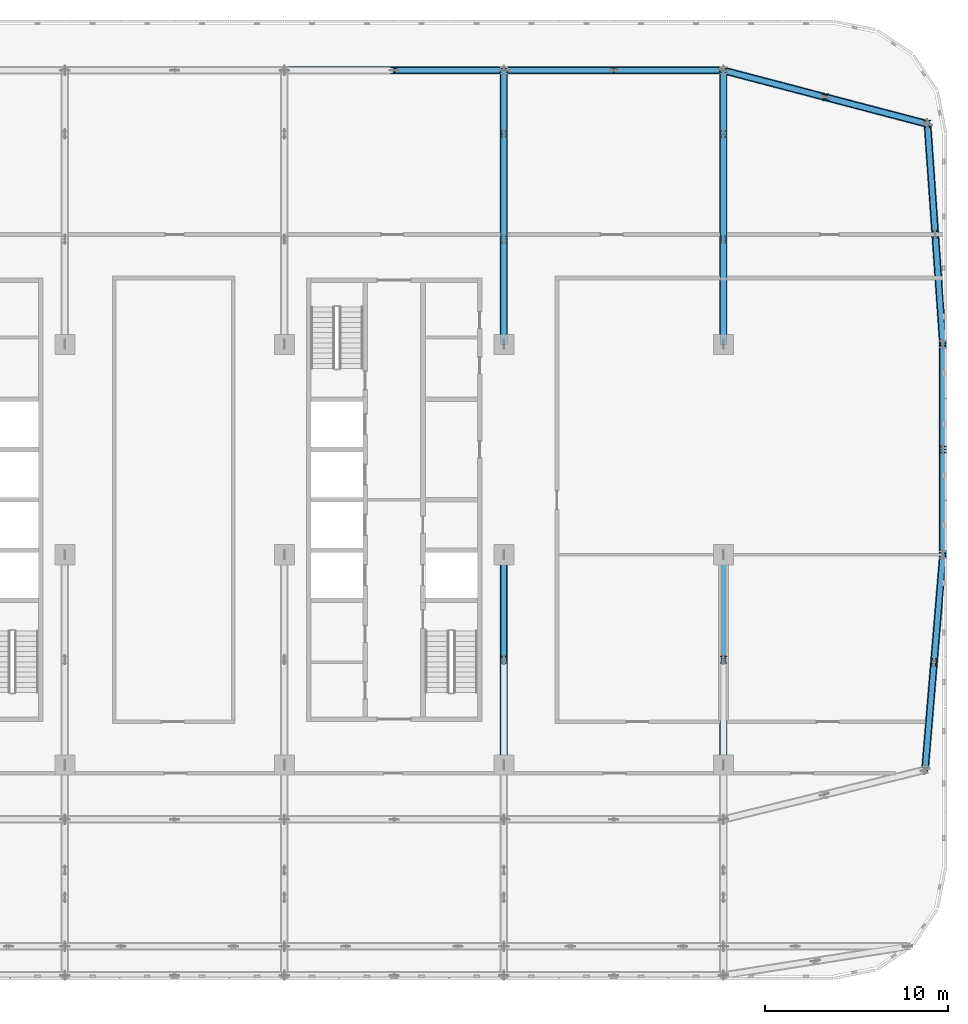
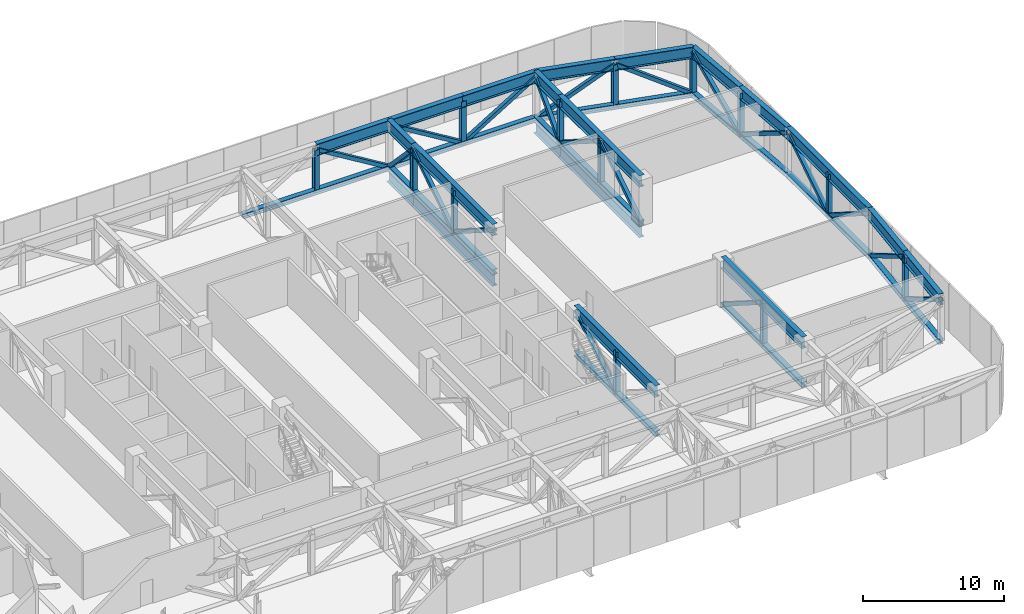
# One storey, part 11 of 28: 61 members, 4 beams.
"""IFC4 building model written with IfcOpenShell, lengths in metres."""

from ifc_helpers import new_model, si_unit, direction, frame, origin, origin_2d, place, context, subcontext, project, spatial, hollow_rectangle, i_section, extrude, material, material_profile, profile_set, type_object, element, save


model = new_model("IFC4")

# Units and contexts
model_context = context("Model", 3, precision=1e-05, world=origin(), true_north=direction((0.0, 1.0)))
body_context = subcontext(model_context, "Body", "Model", "MODEL_VIEW")
ifc_project = project(units=[si_unit("LENGTHUNIT", "METRE"), si_unit("AREAUNIT", "SQUARE_METRE"), si_unit("VOLUMEUNIT", "CUBIC_METRE"), si_unit("PLANEANGLEUNIT", "RADIAN"), si_unit("MASSUNIT", "GRAM", prefix="KILO")], contexts=[model_context])

# Site, building, storey
site_placement = place(None, origin())
site = spatial("IfcSite", under=ifc_project, at=site_placement, CompositionType="ELEMENT")
building_placement = place(site_placement, origin())
building = spatial("IfcBuilding", under=site, at=building_placement, Name="Mahtab Terrace Research Tower", CompositionType="ELEMENT")
storey_placement = place(building_placement, frame((0.0, 0.0, 224.300048828125)))
storey = spatial("IfcBuildingStorey", under=building, at=storey_placement, Name="L54", CompositionType="ELEMENT", Elevation=224.300048828125)

# Members
ifc_material_1 = material(Name="Steel ASTM A500 Gr C", Category="steel")
ifc_material_profile_1 = material_profile(ifc_material_1, hollow_rectangle(XDim=0.3046875, YDim=0.3046875, WallThickness=0.0126953125, at=origin_2d()), Name="HSS12X12X1/2")
ifc_profile_set_1 = profile_set([ifc_material_profile_1], Name="Steel ASTM A500 Gr C")
member_type_1 = type_object("IfcMemberType", Name="HSS 12x12x1/2 brace TD121212", PredefinedType="BRACE", material=ifc_profile_set_1)
for number, where, z_axis, x_axis, name in (
    (1, (30.0, -5.75, -0.18798828125), (0.0, 0.844434215401, 0.535659272168), (-1.0, 0.0, 0.0), "Transfer truss T6 diagonal 117"),
    (2, (30.0, 17.25, -0.18798828125), (0.0, -0.844434215401, 0.535659272168), (1.0, 0.0, 0.0), "Transfer truss T6 diagonal 118"),
    (3, (30.0, 17.25, -0.18798828125), (0.0, 0.844434215401, 0.535659272168), (-1.0, 0.0, 0.0), "Transfer truss T6 diagonal 119"),
):
    element("IfcMember", number, at=place(storey_placement, frame(where, z_axis=z_axis, x_axis=x_axis)), inside=storey, type_object=member_type_1, Name=name, PredefinedType="BRACE", context=body_context, shape_type="SweptSolid", body=[
        extrude(hollow_rectangle(XDim=0.3046875, YDim=0.3046875, WallThickness=0.0126953125, at=origin_2d()), origin(), (0.0, 0.0, 1.0), 6.809326171875),
    ])
member_1_placement = place(storey_placement, frame((30.0, 26.472900390625, -0.18798828125), z_axis=(0.0, -0.689564383455, 0.724224385857), x_axis=(1.0, 0.0, 0.0)))
element("IfcMember", 4, at=member_1_placement, inside=storey, type_object=member_type_1, Name="Transfer truss T6 diagonal 120", PredefinedType="BRACE", context=body_context, shape_type="SweptSolid", body=[
    extrude(hollow_rectangle(XDim=0.3046875, YDim=0.3046875, WallThickness=0.0126953125, at=origin_2d()), origin(), (0.0, 0.0, 1.0), 5.036376953125),
])
for number, where, z_axis, x_axis, name in (
    (5, (30.0, 26.472900390625, -0.18798828125), (-0.854496522168, 0.0, 0.519457114306), (0.0, -1.0, 0.0), "Transfer truss T6 diagonal 121"),
    (6, (36.0, 26.472900390625, -0.18798828125), (-0.854496522168, 0.0, 0.519457114306), (0.0, -1.0, 0.0), "Transfer truss T6 diagonal 125"),
):
    element("IfcMember", number, at=place(storey_placement, frame(where, z_axis=z_axis, x_axis=x_axis)), inside=storey, type_object=member_type_1, Name=name, PredefinedType="BRACE", context=body_context, shape_type="SweptSolid", body=[
        extrude(hollow_rectangle(XDim=0.3046875, YDim=0.3046875, WallThickness=0.0126953125, at=origin_2d()), origin(), (0.0, 0.0, 1.0), 7.021728515625),
    ])
for number, where, z_axis, x_axis, name in (
    (7, (42.0, 0.0, -0.18798828125), (0.0, -0.844434215401, 0.535659272168), (1.0, 0.0, 0.0), "Transfer truss T6 diagonal 136"),
    (8, (42.0, 11.5, -0.18798828125), (0.0, 0.844434215401, 0.535659272168), (-1.0, 0.0, 0.0), "Transfer truss T6 diagonal 137"),
    (9, (42.0, 23.0, -0.18798828125), (0.0, -0.844434215401, 0.535659272168), (1.0, 0.0, 0.0), "Transfer truss T6 diagonal 138"),
):
    element("IfcMember", number, at=place(storey_placement, frame(where, z_axis=z_axis, x_axis=x_axis)), inside=storey, type_object=member_type_1, Name=name, PredefinedType="BRACE", context=body_context, shape_type="SweptSolid", body=[
        extrude(hollow_rectangle(XDim=0.3046875, YDim=0.3046875, WallThickness=0.0126953125, at=origin_2d()), origin(), (0.0, 0.0, 1.0), 6.809326171875),
    ])
member_2_placement = place(storey_placement, frame((42.0, 23.0, -0.18798828125), z_axis=(0.0, 0.689564383455, 0.724224385857), x_axis=(-1.0, 0.0, 0.0)))
element("IfcMember", 10, at=member_2_placement, inside=storey, type_object=member_type_1, Name="Transfer truss T6 diagonal 139", PredefinedType="BRACE", context=body_context, shape_type="SweptSolid", body=[
    extrude(hollow_rectangle(XDim=0.3046875, YDim=0.3046875, WallThickness=0.0126953125, at=origin_2d()), origin(), (0.0, 0.0, 1.0), 5.036376953125),
])
member_3_placement = place(storey_placement, frame((36.0, 26.472900390625, -0.18798828125), z_axis=(0.854496522168, 0.0, 0.519457114306), x_axis=(0.0, 1.0, 0.0)))
element("IfcMember", 11, at=member_3_placement, inside=storey, type_object=member_type_1, Name="Transfer truss T6 diagonal 140", PredefinedType="BRACE", context=body_context, shape_type="SweptSolid", body=[
    extrude(hollow_rectangle(XDim=0.3046875, YDim=0.3046875, WallThickness=0.0126953125, at=origin_2d()), origin(), (0.0, 0.0, 1.0), 7.021728515625),
])
member_4_placement = place(storey_placement, frame((42.0, 26.472900390625, -0.18798828125), z_axis=(0.817408645906, -0.214559481717, 0.534609515818), x_axis=(0.25388673963, 0.967233954863, 0.0)))
element("IfcMember", 12, at=member_4_placement, inside=storey, type_object=member_type_1, Name="Transfer truss T6 diagonal 144", PredefinedType="BRACE", context=body_context, shape_type="SweptSolid", body=[
    extrude(hollow_rectangle(XDim=0.3046875, YDim=0.3046875, WallThickness=0.0126953125, at=origin_2d()), origin(), (0.0, 0.0, 1.0), 6.82275390625),
])
member_5_placement = place(storey_placement, frame((53.510986328125, -5.87890625, -0.18798828125), z_axis=(-0.070644222099, -0.847625068445, 0.525871787823), x_axis=(0.996544901991, -0.083055754258, 0.0)))
element("IfcMember", 13, at=member_5_placement, inside=storey, type_object=member_type_1, Name="Transfer truss T6 diagonal 146", PredefinedType="BRACE", context=body_context, shape_type="SweptSolid", body=[
    extrude(hollow_rectangle(XDim=0.3046875, YDim=0.3046875, WallThickness=0.0126953125, at=origin_2d()), origin(), (0.0, 0.0, 1.0), 6.93603515625),
])
member_6_placement = place(storey_placement, frame((53.154052734375, 23.5458984375, -0.18798828125), z_axis=(-0.817439342665, 0.214450795859, 0.534606188908), x_axis=(-0.253757500466, -0.967267869288, 0.0)))
element("IfcMember", 14, at=member_6_placement, inside=storey, type_object=member_type_1, Name="Transfer truss T6 diagonal 147", PredefinedType="BRACE", context=body_context, shape_type="SweptSolid", body=[
    extrude(hollow_rectangle(XDim=0.3046875, YDim=0.3046875, WallThickness=0.0126953125, at=origin_2d()), origin(), (0.0, 0.0, 1.0), 6.82275390625),
])
member_7_placement = place(storey_placement, frame((54.0, 0.0, -0.18798828125), z_axis=(-0.070506230624, -0.847623581335, 0.525892703702), x_axis=(0.996558305152, -0.082894779287, 0.0)))
element("IfcMember", 15, at=member_7_placement, inside=storey, type_object=member_type_1, Name="Transfer truss T6 diagonal 148", PredefinedType="BRACE", context=body_context, shape_type="SweptSolid", body=[
    extrude(hollow_rectangle(XDim=0.3046875, YDim=0.3046875, WallThickness=0.0126953125, at=origin_2d()), origin(), (0.0, 0.0, 1.0), 6.935791015625),
])
member_8_placement = place(storey_placement, frame((53.576904296875, 17.52294921875, -0.18798828125), z_axis=(-0.059945068637, 0.8538365146, 0.517078132473), x_axis=(-0.997544580937, -0.07003434188, 0.0)))
element("IfcMember", 16, at=member_8_placement, inside=storey, type_object=member_type_1, Name="Transfer truss T6 diagonal 149", PredefinedType="BRACE", context=body_context, shape_type="SweptSolid", body=[
    extrude(hollow_rectangle(XDim=0.3046875, YDim=0.3046875, WallThickness=0.0126953125, at=origin_2d()), origin(), (0.0, 0.0, 1.0), 7.053955078125),
])
for number, where, z_axis, x_axis, name in (
    (17, (54.0, 5.75, -0.18798828125), (0.0, -0.844434215401, 0.535659272168), (1.0, 0.0, 0.0), "Transfer truss T6 diagonal 150"),
    (18, (54.0, 5.75, -0.18798828125), (0.0, 0.844434215401, 0.535659272168), (-1.0, 0.0, 0.0), "Transfer truss T6 diagonal 151"),
):
    element("IfcMember", number, at=place(storey_placement, frame(where, z_axis=z_axis, x_axis=x_axis)), inside=storey, type_object=member_type_1, Name=name, PredefinedType="BRACE", context=body_context, shape_type="SweptSolid", body=[
        extrude(hollow_rectangle(XDim=0.3046875, YDim=0.3046875, WallThickness=0.0126953125, at=origin_2d()), origin(), (0.0, 0.0, 1.0), 6.809326171875),
    ])
member_9_placement = place(storey_placement, frame((53.576904296875, 17.52294921875, -0.18798828125), z_axis=(0.059979554478, -0.853834742624, 0.517077059376), x_axis=(0.997541755211, 0.070074578913, 0.0)))
element("IfcMember", 19, at=member_9_placement, inside=storey, type_object=member_type_1, Name="Transfer truss T6 diagonal 152", PredefinedType="BRACE", context=body_context, shape_type="SweptSolid", body=[
    extrude(hollow_rectangle(XDim=0.3046875, YDim=0.3046875, WallThickness=0.0126953125, at=origin_2d()), origin(), (0.0, 0.0, 1.0), 7.053955078125),
])
ifc_material_2 = material(Name="Steel ASTM A992 Gr 50", Category="steel")
ifc_material_profile_2 = material_profile(ifc_material_2, i_section(OverallWidth=0.373291015625, OverallDepth=0.373291015625, WebThickness=0.016357421875, FlangeThickness=0.026123046875, at=origin_2d()), Name="W14X132")
ifc_profile_set_2 = profile_set([ifc_material_profile_2], Name="Steel ASTM A992 Gr 50")
member_type_2 = type_object("IfcMemberType", Name="W14x132 post TP14132", PredefinedType="POST", material=ifc_profile_set_2)
for number, where, z_axis, x_axis, name in (
    (20, (24.0, 26.469970703125, -0.18798828125), (0.0, 0.0, 1.0), (1.0, 0.0, 0.0), "Transfer truss T6 post 096"),
    (21, (30.0, -5.75, -0.18798828125), (0.0, 0.0, 1.0), (1.0, 0.0, 0.0), "Transfer truss T6 post 104"),
    (22, (30.0, 17.25, -0.18798828125), (0.0, 0.0, 1.0), (1.0, 0.0, 0.0), "Transfer truss T6 post 107"),
    (23, (30.0, 23.0, -0.18798828125), (0.0, 0.0, 1.0), (1.0, 0.0, 0.0), "Transfer truss T6 post 108"),
    (24, (36.0, 26.469970703125, -0.18798828125), (0.0, 0.0, 1.0), (1.0, 0.0, 0.0), "Transfer truss T6 post 113"),
    (25, (42.0, -5.75, -0.18798828125), (0.0, 0.0, 1.0), (1.0, 0.0, 0.0), "Transfer truss T6 post 121"),
    (26, (42.0, 17.25, -0.18798828125), (0.0, 0.0, 1.0), (1.0, 0.0, 0.0), "Transfer truss T6 post 124"),
    (27, (42.0, 23.0, -0.18798828125), (0.0, 0.0, 1.0), (1.0, 0.0, 0.0), "Transfer truss T6 post 125"),
    (28, (47.580078125, 25.010009765625, -0.18798828125), (0.0, 0.0, 1.0), (1.0, 0.0, 0.0), "Transfer truss T6 post 130"),
    (29, (53.14990234375, 23.550048828125, -0.18798828125), (0.0, 0.0, 1.0), (1.0, 0.0, 0.0), "Transfer truss T6 post 133"),
    (30, (53.510009765625, -5.8798828125, -0.18798828125), (0.0, 0.0, 1.0), (1.0, 0.0, 0.0), "Transfer truss T6 post 134"),
    (31, (53.580078125, 17.52001953125, -0.18798828125), (0.0, 0.0, 1.0), (1.0, 0.0, 0.0), "Transfer truss T6 post 135"),
    (32, (54.0, 5.75, -0.18798828125), (0.0, 0.0, 1.0), (1.0, 0.0, 0.0), "Transfer truss T6 post 137"),
):
    element("IfcMember", number, at=place(storey_placement, frame(where, z_axis=z_axis, x_axis=x_axis)), inside=storey, type_object=member_type_2, Name=name, PredefinedType="POST", context=body_context, shape_type="SweptSolid", body=[
        extrude(i_section(OverallWidth=0.373291015625, OverallDepth=0.373291015625, WebThickness=0.016357421875, FlangeThickness=0.026123046875, at=origin_2d()), origin(), (0.0, 0.0, 1.0), 3.6474609375),
    ])
ifc_material_profile_3 = material_profile(ifc_material_2, i_section(OverallWidth=0.408935546875, OverallDepth=0.42431640625, WebThickness=0.03271484375, FlangeThickness=0.052490234375, at=origin_2d()), Name="W14X283")
ifc_profile_set_3 = profile_set([ifc_material_profile_3], Name="Steel ASTM A992 Gr 50")
member_type_3 = type_object("IfcMemberType", Name="W14x283 chord TC14283", PredefinedType="CHORD", material=ifc_profile_set_3)
for number, where, z_axis, x_axis, name in (
    (33, (42.0, 26.472900390625, -0.18798828125), (-1.0, 0.0, 0.0), (0.0, -1.0, 0.0), "Transfer truss T6 bottom chord 033"),
    (34, (30.0, 26.472900390625, -0.18798828125), (-1.0, 0.0, 0.0), (0.0, -1.0, 0.0), "Transfer truss T6 bottom chord 034"),
):
    element("IfcMember", number, at=place(storey_placement, frame(where, z_axis=z_axis, x_axis=x_axis)), inside=storey, type_object=member_type_3, Name=name, PredefinedType="CHORD", context=body_context, shape_type="SweptSolid", body=[
        extrude(i_section(OverallWidth=0.408935546875, OverallDepth=0.42431640625, WebThickness=0.03271484375, FlangeThickness=0.052490234375, at=origin_2d()), origin(), (0.0, 0.0, 1.0), 12.0),
    ])
for number, where, z_axis, x_axis, name in (
    (35, (30.0, -11.5, -0.18798828125), (0.0, 1.0, 0.0), (-1.0, 0.0, 0.0), "Transfer truss T6 bottom chord 061"),
    (36, (30.0, 11.5, -0.18798828125), (0.0, 1.0, 0.0), (-1.0, 0.0, 0.0), "Transfer truss T6 bottom chord 062"),
):
    element("IfcMember", number, at=place(storey_placement, frame(where, z_axis=z_axis, x_axis=x_axis)), inside=storey, type_object=member_type_3, Name=name, PredefinedType="CHORD", context=body_context, shape_type="SweptSolid", body=[
        extrude(i_section(OverallWidth=0.408935546875, OverallDepth=0.42431640625, WebThickness=0.03271484375, FlangeThickness=0.052490234375, at=origin_2d()), origin(), (0.0, 0.0, 1.0), 11.5),
    ])
member_10_placement = place(storey_placement, frame((30.0, 23.0, -0.18798828125), z_axis=(0.0, 1.0, 0.0), x_axis=(-1.0, 0.0, 0.0)))
element("IfcMember", 37, at=member_10_placement, inside=storey, type_object=member_type_3, Name="Transfer truss T6 bottom chord 063", PredefinedType="CHORD", context=body_context, shape_type="SweptSolid", body=[
    extrude(i_section(OverallWidth=0.408935546875, OverallDepth=0.42431640625, WebThickness=0.03271484375, FlangeThickness=0.052490234375, at=origin_2d()), origin(), (0.0, 0.0, 1.0), 3.472900390625),
])
for number, where, z_axis, x_axis, name in (
    (38, (42.0, -11.5, -0.18798828125), (0.0, 1.0, 0.0), (-1.0, 0.0, 0.0), "Transfer truss T6 bottom chord 066"),
    (39, (42.0, 11.5, -0.18798828125), (0.0, 1.0, 0.0), (-1.0, 0.0, 0.0), "Transfer truss T6 bottom chord 069"),
):
    element("IfcMember", number, at=place(storey_placement, frame(where, z_axis=z_axis, x_axis=x_axis)), inside=storey, type_object=member_type_3, Name=name, PredefinedType="CHORD", context=body_context, shape_type="SweptSolid", body=[
        extrude(i_section(OverallWidth=0.408935546875, OverallDepth=0.42431640625, WebThickness=0.03271484375, FlangeThickness=0.052490234375, at=origin_2d()), origin(), (0.0, 0.0, 1.0), 11.5),
    ])
member_11_placement = place(storey_placement, frame((42.0, 23.0, -0.18798828125), z_axis=(0.0, 1.0, 0.0), x_axis=(-1.0, 0.0, 0.0)))
element("IfcMember", 40, at=member_11_placement, inside=storey, type_object=member_type_3, Name="Transfer truss T6 bottom chord 070", PredefinedType="CHORD", context=body_context, shape_type="SweptSolid", body=[
    extrude(i_section(OverallWidth=0.408935546875, OverallDepth=0.42431640625, WebThickness=0.03271484375, FlangeThickness=0.052490234375, at=origin_2d()), origin(), (0.0, 0.0, 1.0), 3.472900390625),
])
member_12_placement = place(storey_placement, frame((53.154052734375, 23.5458984375, -0.18798828125), z_axis=(-0.967250914308, 0.253822120333, 0.0), x_axis=(-0.253822120333, -0.967250914308, 0.0)))
element("IfcMember", 41, at=member_12_placement, inside=storey, type_object=member_type_3, Name="Transfer truss T6 bottom chord 071", PredefinedType="CHORD", context=body_context, shape_type="SweptSolid", body=[
    extrude(i_section(OverallWidth=0.408935546875, OverallDepth=0.42431640625, WebThickness=0.03271484375, FlangeThickness=0.052490234375, at=origin_2d()), origin(), (0.0, 0.0, 1.0), 11.53173828125),
])
member_13_placement = place(storey_placement, frame((53.02099609375, -11.758056640625, -0.18798828125), z_axis=(0.082975269256, 0.996551606638, 0.0), x_axis=(-0.996551606638, 0.082975269256, 0.0)))
element("IfcMember", 42, at=member_13_placement, inside=storey, type_object=member_type_3, Name="Transfer truss T6 bottom chord 072", PredefinedType="CHORD", context=body_context, shape_type="SweptSolid", body=[
    extrude(i_section(OverallWidth=0.408935546875, OverallDepth=0.42431640625, WebThickness=0.03271484375, FlangeThickness=0.052490234375, at=origin_2d()), origin(), (0.0, 0.0, 1.0), 11.798828125),
])
for number, where, z_axis, x_axis, name in (
    (43, (54.0, 11.5, -0.18798828125), (-0.070074578913, 0.997541755211, 0.0), (-0.997541755211, -0.070074578913, 0.0), "Transfer truss T6 bottom chord 073"),
    (44, (53.576904296875, 17.52294921875, -0.18798828125), (-0.07003434188, 0.997544580937, 0.0), (-0.997544580937, -0.07003434188, 0.0), "Transfer truss T6 bottom chord 074"),
):
    element("IfcMember", number, at=place(storey_placement, frame(where, z_axis=z_axis, x_axis=x_axis)), inside=storey, type_object=member_type_3, Name=name, PredefinedType="CHORD", context=body_context, shape_type="SweptSolid", body=[
        extrude(i_section(OverallWidth=0.408935546875, OverallDepth=0.42431640625, WebThickness=0.03271484375, FlangeThickness=0.052490234375, at=origin_2d()), origin(), (0.0, 0.0, 1.0), 6.037841796875),
    ])
member_14_placement = place(storey_placement, frame((54.0, 0.0, -0.18798828125), z_axis=(0.0, 1.0, 0.0), x_axis=(-1.0, 0.0, 0.0)))
element("IfcMember", 45, at=member_14_placement, inside=storey, type_object=member_type_3, Name="Transfer truss T6 bottom chord 075", PredefinedType="CHORD", context=body_context, shape_type="SweptSolid", body=[
    extrude(i_section(OverallWidth=0.408935546875, OverallDepth=0.42431640625, WebThickness=0.03271484375, FlangeThickness=0.052490234375, at=origin_2d()), origin(), (0.0, 0.0, 1.0), 11.5),
])
ifc_material_profile_4 = material_profile(ifc_material_2, i_section(OverallWidth=0.4013671875, OverallDepth=1.000732421875, WebThickness=0.01904296875, FlangeThickness=0.0361328125, at=origin_2d()), Name="W40X249")
ifc_profile_set_4 = profile_set([ifc_material_profile_4], Name="Steel ASTM A992 Gr 50")
member_type_4 = type_object("IfcMemberType", Name="W40x249 chord TT40249", PredefinedType="CHORD", material=ifc_profile_set_4)
for number, where, z_axis, x_axis, name in (
    (46, (42.0, 26.472900390625, 3.45947265625), (-1.0, 0.0, 0.0), (0.0, -1.0, 0.0), "Transfer truss T6 top chord 050"),
    (47, (36.0, 26.472900390625, 3.45947265625), (-1.0, 0.0, 0.0), (0.0, -1.0, 0.0), "Transfer truss T6 top chord 051"),
    (48, (30.0, 26.472900390625, 3.45947265625), (-1.0, 0.0, 0.0), (0.0, -1.0, 0.0), "Transfer truss T6 top chord 052"),
):
    element("IfcMember", number, at=place(storey_placement, frame(where, z_axis=z_axis, x_axis=x_axis)), inside=storey, type_object=member_type_4, Name=name, PredefinedType="CHORD", context=body_context, shape_type="SweptSolid", body=[
        extrude(i_section(OverallWidth=0.4013671875, OverallDepth=1.000732421875, WebThickness=0.01904296875, FlangeThickness=0.0361328125, at=origin_2d()), origin(), (0.0, 0.0, 1.0), 6.0),
    ])
for number, where, z_axis, x_axis, name in (
    (49, (30.0, -11.5, 3.45947265625), (0.0, 1.0, 0.0), (-1.0, 0.0, 0.0), "Transfer truss T6 top chord 084"),
    (50, (30.0, 11.5, 3.45947265625), (0.0, 1.0, 0.0), (-1.0, 0.0, 0.0), "Transfer truss T6 top chord 085"),
):
    element("IfcMember", number, at=place(storey_placement, frame(where, z_axis=z_axis, x_axis=x_axis)), inside=storey, type_object=member_type_4, Name=name, PredefinedType="CHORD", context=body_context, shape_type="SweptSolid", body=[
        extrude(i_section(OverallWidth=0.4013671875, OverallDepth=1.000732421875, WebThickness=0.01904296875, FlangeThickness=0.0361328125, at=origin_2d()), origin(), (0.0, 0.0, 1.0), 11.5),
    ])
member_15_placement = place(storey_placement, frame((30.0, 23.0, 3.45947265625), z_axis=(0.0, 1.0, 0.0), x_axis=(-1.0, 0.0, 0.0)))
element("IfcMember", 51, at=member_15_placement, inside=storey, type_object=member_type_4, Name="Transfer truss T6 top chord 086", PredefinedType="CHORD", context=body_context, shape_type="SweptSolid", body=[
    extrude(i_section(OverallWidth=0.4013671875, OverallDepth=1.000732421875, WebThickness=0.01904296875, FlangeThickness=0.0361328125, at=origin_2d()), origin(), (0.0, 0.0, 1.0), 3.472900390625),
])
for number, where, z_axis, x_axis, name in (
    (52, (42.0, -11.5, 3.45947265625), (0.0, 1.0, 0.0), (-1.0, 0.0, 0.0), "Transfer truss T6 top chord 089"),
    (53, (42.0, 11.5, 3.45947265625), (0.0, 1.0, 0.0), (-1.0, 0.0, 0.0), "Transfer truss T6 top chord 092"),
):
    element("IfcMember", number, at=place(storey_placement, frame(where, z_axis=z_axis, x_axis=x_axis)), inside=storey, type_object=member_type_4, Name=name, PredefinedType="CHORD", context=body_context, shape_type="SweptSolid", body=[
        extrude(i_section(OverallWidth=0.4013671875, OverallDepth=1.000732421875, WebThickness=0.01904296875, FlangeThickness=0.0361328125, at=origin_2d()), origin(), (0.0, 0.0, 1.0), 11.5),
    ])
member_16_placement = place(storey_placement, frame((42.0, 23.0, 3.45947265625), z_axis=(0.0, 1.0, 0.0), x_axis=(-1.0, 0.0, 0.0)))
element("IfcMember", 54, at=member_16_placement, inside=storey, type_object=member_type_4, Name="Transfer truss T6 top chord 093", PredefinedType="CHORD", context=body_context, shape_type="SweptSolid", body=[
    extrude(i_section(OverallWidth=0.4013671875, OverallDepth=1.000732421875, WebThickness=0.01904296875, FlangeThickness=0.0361328125, at=origin_2d()), origin(), (0.0, 0.0, 1.0), 3.472900390625),
])
for number, where, z_axis, x_axis, name in (
    (55, (53.154052734375, 23.5458984375, 3.45947265625), (-0.967267869288, 0.253757500466, 0.0), (-0.253757500466, -0.967267869288, 0.0), "Transfer truss T6 top chord 094"),
    (56, (47.576904296875, 25.009033203125, 3.45947265625), (-0.967233954863, 0.25388673963, 0.0), (-0.25388673963, -0.967233954863, 0.0), "Transfer truss T6 top chord 095"),
):
    element("IfcMember", number, at=place(storey_placement, frame(where, z_axis=z_axis, x_axis=x_axis)), inside=storey, type_object=member_type_4, Name=name, PredefinedType="CHORD", context=body_context, shape_type="SweptSolid", body=[
        extrude(i_section(OverallWidth=0.4013671875, OverallDepth=1.000732421875, WebThickness=0.01904296875, FlangeThickness=0.0361328125, at=origin_2d()), origin(), (0.0, 0.0, 1.0), 5.765869140625),
    ])
member_17_placement = place(storey_placement, frame((53.02099609375, -11.758056640625, 3.45947265625), z_axis=(0.083055754258, 0.996544901991, 0.0), x_axis=(-0.996544901991, 0.083055754258, 0.0)))
element("IfcMember", 57, at=member_17_placement, inside=storey, type_object=member_type_4, Name="Transfer truss T6 top chord 096", PredefinedType="CHORD", context=body_context, shape_type="SweptSolid", body=[
    extrude(i_section(OverallWidth=0.4013671875, OverallDepth=1.000732421875, WebThickness=0.01904296875, FlangeThickness=0.0361328125, at=origin_2d()), origin(), (0.0, 0.0, 1.0), 5.8994140625),
])
member_18_placement = place(storey_placement, frame((53.510986328125, -5.87890625, 3.45947265625), z_axis=(0.082894779287, 0.996558305152, 0.0), x_axis=(-0.996558305152, 0.082894779287, 0.0)))
element("IfcMember", 58, at=member_18_placement, inside=storey, type_object=member_type_4, Name="Transfer truss T6 top chord 097", PredefinedType="CHORD", context=body_context, shape_type="SweptSolid", body=[
    extrude(i_section(OverallWidth=0.4013671875, OverallDepth=1.000732421875, WebThickness=0.01904296875, FlangeThickness=0.0361328125, at=origin_2d()), origin(), (0.0, 0.0, 1.0), 5.899169921875),
])
for number, where, z_axis, x_axis, name in (
    (59, (54.0, 11.5, 3.45947265625), (-0.070074578913, 0.997541755211, 0.0), (-0.997541755211, -0.070074578913, 0.0), "Transfer truss T6 top chord 098"),
    (60, (53.576904296875, 17.52294921875, 3.45947265625), (-0.07003434188, 0.997544580937, 0.0), (-0.997544580937, -0.07003434188, 0.0), "Transfer truss T6 top chord 099"),
):
    element("IfcMember", number, at=place(storey_placement, frame(where, z_axis=z_axis, x_axis=x_axis)), inside=storey, type_object=member_type_4, Name=name, PredefinedType="CHORD", context=body_context, shape_type="SweptSolid", body=[
        extrude(i_section(OverallWidth=0.4013671875, OverallDepth=1.000732421875, WebThickness=0.01904296875, FlangeThickness=0.0361328125, at=origin_2d()), origin(), (0.0, 0.0, 1.0), 6.037841796875),
    ])
member_19_placement = place(storey_placement, frame((54.0, 0.0, 3.45947265625), z_axis=(0.0, 1.0, 0.0), x_axis=(-1.0, 0.0, 0.0)))
element("IfcMember", 61, at=member_19_placement, inside=storey, type_object=member_type_4, Name="Transfer truss T6 top chord 100", PredefinedType="CHORD", context=body_context, shape_type="SweptSolid", body=[
    extrude(i_section(OverallWidth=0.4013671875, OverallDepth=1.000732421875, WebThickness=0.01904296875, FlangeThickness=0.0361328125, at=origin_2d()), origin(), (0.0, 0.0, 1.0), 11.5),
])

# Beams
ifc_material_profile_5 = material_profile(ifc_material_2, i_section(OverallWidth=0.4013671875, OverallDepth=1.000732421875, WebThickness=0.01904296875, FlangeThickness=0.0361328125, at=origin_2d()), Name="W40X249")
ifc_profile_set_5 = profile_set([ifc_material_profile_5], Name="Steel ASTM A992 Gr 50")
beam_type = type_object("IfcBeamType", Name="W40x249 transfer girder TG40249", PredefinedType="BEAM", material=ifc_profile_set_5)
beam_1_placement = place(storey_placement, frame((42.0, 11.5, -0.8984375), z_axis=(0.0, 1.0, 0.0), x_axis=(-1.0, 0.0, 0.0)))
element("IfcBeam", 62, at=beam_1_placement, inside=storey, type_object=beam_type, Name="Transfer girder T6 01", PredefinedType="BEAM", context=body_context, shape_type="SweptSolid", body=[
    extrude(i_section(OverallWidth=0.4013671875, OverallDepth=1.000732421875, WebThickness=0.01904296875, FlangeThickness=0.0361328125, at=origin_2d()), origin(), (0.0, 0.0, 1.0), 11.5),
])
beam_2_placement = place(storey_placement, frame((42.0, 23.0, -0.8984375), z_axis=(0.0, 1.0, 0.0), x_axis=(-1.0, 0.0, 0.0)))
element("IfcBeam", 63, at=beam_2_placement, inside=storey, type_object=beam_type, Name="Transfer girder T6 02", PredefinedType="BEAM", context=body_context, shape_type="SweptSolid", body=[
    extrude(i_section(OverallWidth=0.4013671875, OverallDepth=1.000732421875, WebThickness=0.01904296875, FlangeThickness=0.0361328125, at=origin_2d()), origin(), (0.0, 0.0, 1.0), 3.472900390625),
])
beam_3_placement = place(storey_placement, frame((30.0, 11.5, -0.8984375), z_axis=(0.0, 1.0, 0.0), x_axis=(-1.0, 0.0, 0.0)))
element("IfcBeam", 64, at=beam_3_placement, inside=storey, type_object=beam_type, Name="Transfer girder T6 03", PredefinedType="BEAM", context=body_context, shape_type="SweptSolid", body=[
    extrude(i_section(OverallWidth=0.4013671875, OverallDepth=1.000732421875, WebThickness=0.01904296875, FlangeThickness=0.0361328125, at=origin_2d()), origin(), (0.0, 0.0, 1.0), 11.5),
])
beam_4_placement = place(storey_placement, frame((30.0, 23.0, -0.8984375), z_axis=(0.0, 1.0, 0.0), x_axis=(-1.0, 0.0, 0.0)))
element("IfcBeam", 65, at=beam_4_placement, inside=storey, type_object=beam_type, Name="Transfer girder T6 04", PredefinedType="BEAM", context=body_context, shape_type="SweptSolid", body=[
    extrude(i_section(OverallWidth=0.4013671875, OverallDepth=1.000732421875, WebThickness=0.01904296875, FlangeThickness=0.0361328125, at=origin_2d()), origin(), (0.0, 0.0, 1.0), 3.472900390625),
])

save(model, "model.ifc")
